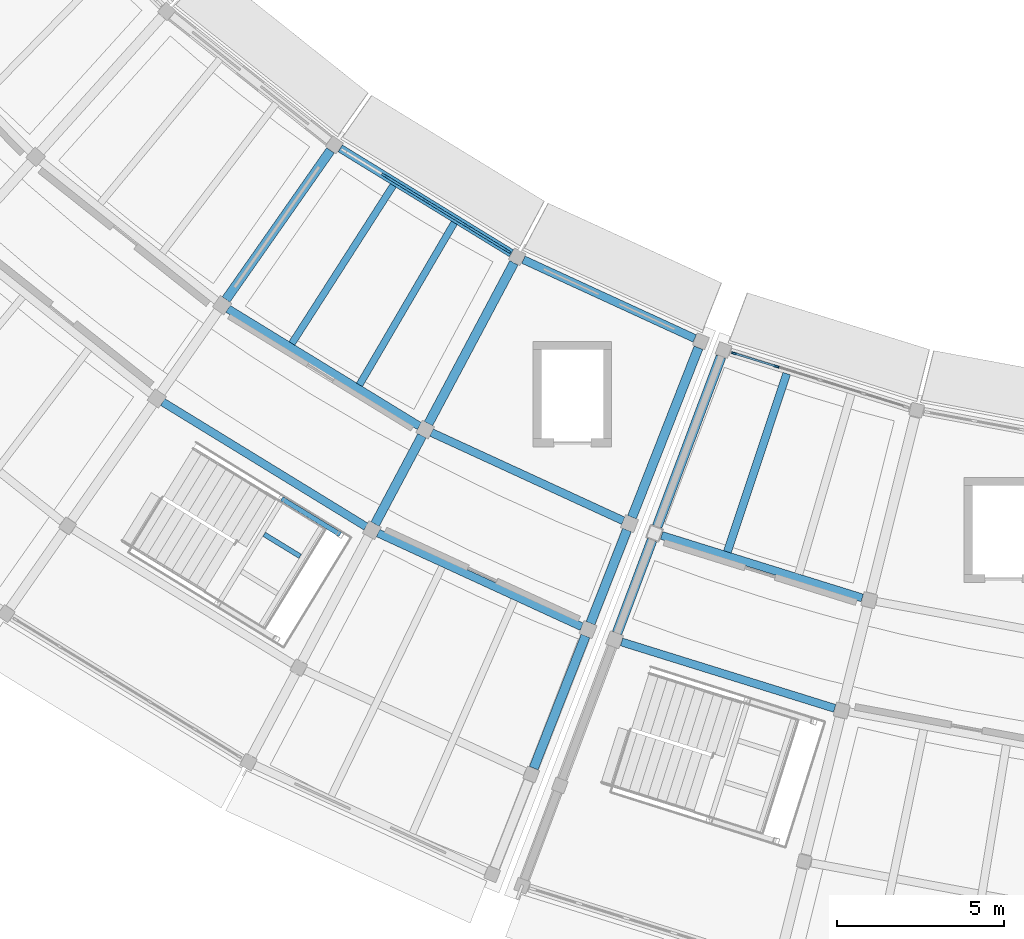
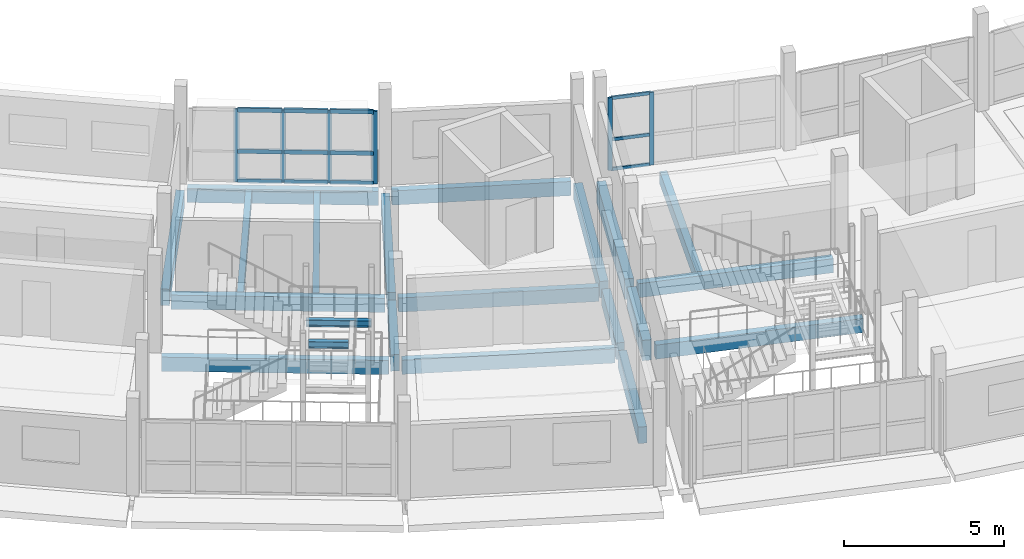
# One storey, part 21 of 77: 21 beams, 18 members, 2 elements without a shape of their own.
"""IFC4 building model written with IfcOpenShell, lengths in metres."""

import ifcopenshell
import ifcopenshell.guid

model = None  # the IFC model being written
_history = None  # IfcOwnerHistory: only IFC2X3 demands one
_inside = {}  # id of a spatial element -> (the spatial element, [elements in it])
_under = {}  # id of a project, library or spatial element -> (it, [spatial elements below it])
_declared = {}  # id of a project -> (the project, [libraries it declares])
_typed = {}  # id of a type object -> (the type object, [elements of that type])
_made_of = {}  # id of a material, layer set ... -> (it, [elements and type objects made of it])


def new_model(schema):
    """Start an empty IFC model of exactly this schema.

    Asked for "IFC4X3", IfcOpenShell would pick the latest addendum, in which some entities
    have other attributes; the version numbers below select the first issue.
    IFC2X3 requires an IfcOwnerHistory on every rooted entity: one is made here for all.
    """
    global model, _history
    if schema == "IFC4X3":
        model = ifcopenshell.file(schema_version=(4, 3, 0, 0))
    else:
        model = ifcopenshell.file(schema=schema)
    _inside.clear()
    _under.clear()
    _declared.clear()
    _typed.clear()
    _made_of.clear()
    _history = None
    if model.schema == "IFC2X3":
        org = make("IfcOrganization", Name="unknown")
        user = make(
            "IfcPersonAndOrganization",
            ThePerson=make("IfcPerson", FamilyName="unknown"),
            TheOrganization=org,
        )
        app = make(
            "IfcApplication",
            ApplicationDeveloper=org,
            Version="unknown",
            ApplicationFullName="unknown",
            ApplicationIdentifier="unknown",
        )
        _history = make(
            "IfcOwnerHistory",
            OwningUser=user,
            OwningApplication=app,
            ChangeAction="ADDED",
            CreationDate=0,
        )
    return model


def make(cls, **values):
    """One entity of the class cls with the attributes given. An attribute that is None is left unset."""
    return model.create_entity(
        cls, **{name: value for name, value in values.items() if value is not None}
    )


def rooted(cls, **values):
    """An entity with a GlobalId (a new one), such as an element, a storey or a relation."""
    return make(cls, GlobalId=ifcopenshell.guid.new(), OwnerHistory=_history, **values)


def si_unit(unit_type, name, prefix=None):
    """IfcSIUnit, for example si_unit("LENGTHUNIT", "METRE", prefix="MILLI")."""
    return make("IfcSIUnit", UnitType=unit_type, Prefix=prefix, Name=name)


def assignment(units):
    """IfcUnitAssignment: the units of a project."""
    return None if units is None else make("IfcUnitAssignment", Units=units)


def point(xyz):
    """IfcCartesianPoint."""
    return None if xyz is None else make("IfcCartesianPoint", Coordinates=xyz)


def direction(xyz):
    """IfcDirection."""
    return None if xyz is None else make("IfcDirection", DirectionRatios=xyz)


def frame(location, z_axis=None, x_axis=None):
    """IfcAxis2Placement3D, a coordinate frame: its origin and axes. An axis left out is left unset."""
    return make(
        "IfcAxis2Placement3D",
        Location=point(location),
        Axis=direction(z_axis),
        RefDirection=direction(x_axis),
    )


def frame_2d(location, x_axis=None):
    """IfcAxis2Placement2D, a coordinate frame in the plane: its origin and x axis."""
    return make(
        "IfcAxis2Placement2D", Location=point(location), RefDirection=direction(x_axis)
    )


def origin():
    """The frame at (0, 0, 0) with its axes left unset."""
    return frame((0.0, 0.0, 0.0))


def origin_2d():
    """The frame at (0, 0) in the plane with its x axis left unset."""
    return frame_2d((0.0, 0.0))


def place(relative_to, where):
    """IfcLocalPlacement: puts the frame where relative to a parent placement (None: the world)."""
    return make(
        "IfcLocalPlacement", PlacementRelTo=relative_to, RelativePlacement=where
    )


def context(
    kind, dimensions, precision=None, world=None, true_north=None, identifier=None
):
    """IfcGeometricRepresentationContext, for example the 3D "Model" context."""
    return make(
        "IfcGeometricRepresentationContext",
        ContextIdentifier=identifier,
        ContextType=kind,
        CoordinateSpaceDimension=dimensions,
        Precision=precision,
        WorldCoordinateSystem=world,
        TrueNorth=true_north,
    )


def subcontext(parent, identifier, kind, view, scale=None):
    """IfcGeometricRepresentationSubContext, for example "Body" below "Model"."""
    return make(
        "IfcGeometricRepresentationSubContext",
        ContextIdentifier=identifier,
        ContextType=kind,
        ParentContext=parent,
        TargetScale=scale,
        TargetView=view,
    )


def project(units=None, contexts=None):
    """IfcProject with its units and contexts."""
    return rooted(
        "IfcProject",
        Name="project",
        RepresentationContexts=contexts,
        UnitsInContext=assignment(units),
    )


def spatial(cls, under=None, at=None, **own):
    """A site, building, storey or space (cls), placed at a placement, below another one or the project."""
    s = rooted(cls, ObjectPlacement=at, **own)
    if under is not None:
        _under.setdefault(under.id(), (under, []))[1].append(s)
    return s


def profile(cls, at=None, kind="AREA", **sizes):
    """A parametric profile (cls). Its sizes go by their IFC names, for example OverallWidth=200.0."""
    return make(cls, ProfileType=kind, Position=at, **sizes)


def rectangle(**sizes):
    """IfcRectangleProfileDef."""
    return profile("IfcRectangleProfileDef", **sizes)


def i_section(**sizes):
    """IfcIShapeProfileDef."""
    return profile("IfcIShapeProfileDef", **sizes)


def extrude(swept, where, along, depth):
    """IfcExtrudedAreaSolid: the profile swept, set in the frame where, extruded along a direction by depth."""
    return make(
        "IfcExtrudedAreaSolid",
        SweptArea=swept,
        Position=where,
        ExtrudedDirection=direction(along),
        Depth=depth,
    )


def shape(context_of_items, identifier, shape_type, items):
    """IfcShapeRepresentation: the items that make up one representation, for example the "Body"."""
    return make(
        "IfcShapeRepresentation",
        ContextOfItems=context_of_items,
        RepresentationIdentifier=identifier,
        RepresentationType=shape_type,
        Items=items,
    )


def material(Name=None, Category=None):
    """IfcMaterial."""
    return make("IfcMaterial", Name=Name, Category=Category)


def layer(
    of_material, thickness, ventilated=None, Name=None, Category=None, Priority=None
):
    """IfcMaterialLayer: one layer of a wall or slab, of a material (None: an air gap)."""
    return make(
        "IfcMaterialLayer",
        Material=of_material,
        LayerThickness=thickness,
        IsVentilated=ventilated,
        Name=Name,
        Category=Category,
        Priority=Priority,
    )


def layer_set(layers, Name=None):
    """IfcMaterialLayerSet."""
    return make("IfcMaterialLayerSet", MaterialLayers=layers, LayerSetName=Name)


def material_profile(
    of_material, cross_section, Name=None, Category=None, Priority=None
):
    """IfcMaterialProfile: a cross section and its material."""
    return make(
        "IfcMaterialProfile",
        Name=Name,
        Material=of_material,
        Profile=cross_section,
        Priority=Priority,
        Category=Category,
    )


def profile_set(profiles, Name=None, composite=None):
    """IfcMaterialProfileSet."""
    return make(
        "IfcMaterialProfileSet",
        Name=Name,
        MaterialProfiles=profiles,
        CompositeProfile=composite,
    )


def made_of(thing, what):
    """Note that an element or type object is made of a material, layer set ...; save() writes the relation."""
    if what is not None:
        _made_of.setdefault(what.id(), (what, []))[1].append(thing)
    return thing


def type_object(cls, material=None, **own):
    """A type object (cls), such as IfcWallType, which elements share."""
    return made_of(rooted(cls, **own), material)


def element(
    cls,
    number,
    at=None,
    inside=None,
    cuts=None,
    type_object=None,
    material=None,
    context=None,
    identifier="Body",
    shape_type=None,
    held_by="IfcProductDefinitionShape",
    body=None,
    shapes=None,
    **own,
):
    """One element of the class cls, such as IfcWall. Its Tag is "e" and its number.

    at: its placement. inside: the storey or other place that contains it. cuts: it is an
    opening in that element (IfcRelVoidsElement). A single representation is given by context,
    identifier, shape_type and body (its items); several are given by shapes. held_by: the class
    of the entity that holds the representations. save() writes the other relations.
    """
    e = rooted(cls, Tag="e%d" % number, ObjectPlacement=at, **own)
    if body is not None:
        shapes = [shape(context, identifier, shape_type, body)]
    if shapes is not None:
        e.Representation = make(held_by, Representations=shapes)
    if inside is not None:
        _inside.setdefault(inside.id(), (inside, []))[1].append(e)
    if cuts is not None:
        rooted(
            "IfcRelVoidsElement", RelatingBuildingElement=cuts, RelatedOpeningElement=e
        )
    if type_object is not None:
        _typed.setdefault(type_object.id(), (type_object, []))[1].append(e)
    return made_of(e, material)


def aggregate(whole, parts):
    """IfcRelAggregates: a whole, such as a stair, and the parts it consists of."""
    return rooted("IfcRelAggregates", RelatingObject=whole, RelatedObjects=parts)


def save(model, path):
    """Write the relations noted so far, then the file.

    IfcRelAggregates (storeys below a building ...), IfcRelContainedInSpatialStructure (elements
    in a storey), IfcRelDefinesByType, IfcRelAssociatesMaterial and IfcRelDeclares: one each for
    every whole, place, type object, material and project.
    """
    for whole, parts in _under.values():
        aggregate(whole, parts)
    for where, things in _inside.values():
        rooted(
            "IfcRelContainedInSpatialStructure",
            RelatedElements=things,
            RelatingStructure=where,
        )
    for kind, things in _typed.values():
        rooted("IfcRelDefinesByType", RelatedObjects=things, RelatingType=kind)
    for what, things in _made_of.values():
        rooted("IfcRelAssociatesMaterial", RelatedObjects=things, RelatingMaterial=what)
    for by, libraries in _declared.values():
        rooted("IfcRelDeclares", RelatingContext=by, RelatedDefinitions=libraries)
    model.write(path)


model = new_model("IFC4")

# Units and contexts
model_context = context("Model", 3, precision=1e-05, world=origin(), true_north=direction((0.0, 1.0)))
body_context = subcontext(model_context, "Body", "Model", "MODEL_VIEW")
ifc_project = project(units=[si_unit("LENGTHUNIT", "METRE"), si_unit("AREAUNIT", "SQUARE_METRE"), si_unit("VOLUMEUNIT", "CUBIC_METRE"), si_unit("PLANEANGLEUNIT", "RADIAN"), si_unit("MASSUNIT", "GRAM", prefix="KILO")], contexts=[model_context])

# Site, building, storey
site_placement = place(None, origin())
site = spatial("IfcSite", under=ifc_project, at=site_placement, CompositionType="ELEMENT")
building_placement = place(site_placement, origin())
building = spatial("IfcBuilding", under=site, at=building_placement, Name="Caldaven Crescent School", CompositionType="ELEMENT")
storey_placement = place(building_placement, frame((0.0, 0.0, 4.419921875)))
storey = spatial("IfcBuildingStorey", under=building, at=storey_placement, Name="L01", CompositionType="ELEMENT", Elevation=4.419921875)

# Beams
ifc_material_1 = material(Name="Glulam MLE24h (GL28h)", Category="wood")
ifc_material_profile_1 = material_profile(ifc_material_1, rectangle(XDim=0.239990234375, YDim=0.5400390625, at=origin_2d()), Name="MLE 240x540")
ifc_profile_set_1 = profile_set([ifc_material_profile_1], Name="Glulam MLE24h (GL28h)")
beam_type_1 = type_object("IfcBeamType", Name="BM-GL54", PredefinedType="BEAM", material=ifc_profile_set_1)
beam_1_placement = place(storey_placement, frame((54.7353515625, 48.13623046875, -0.489990234375), z_axis=(0.85265146304, -0.52248012649, 0.0), x_axis=(0.52248012649, 0.85265146304, 0.0)))
element("IfcBeam", 1, at=beam_1_placement, inside=storey, type_object=beam_type_1, Name="BMT-V4W-L01-0983", PredefinedType="BEAM", context=body_context, shape_type="SweptSolid", body=[
    extrude(rectangle(XDim=0.239990234375, YDim=0.5400390625, at=origin_2d()), origin(), (0.0, 0.0, 1.0), 6.708251953125),
])
beam_2_placement = place(storey_placement, frame((52.78515625, 45.351318359375, -0.489990234375), z_axis=(0.852628835063, -0.522517051989, 0.0), x_axis=(0.522517051989, 0.852628835063, 0.0)))
element("IfcBeam", 2, at=beam_2_placement, inside=storey, type_object=beam_type_1, Name="BMT-V4W-L01-0984", PredefinedType="BEAM", context=body_context, shape_type="SweptSolid", body=[
    extrude(rectangle(XDim=0.239990234375, YDim=0.5400390625, at=origin_2d()), origin(), (0.0, 0.0, 1.0), 7.12353515625),
])
beam_3_placement = place(storey_placement, frame((60.816162109375, 44.4384765625, -0.489990234375), z_axis=(0.908521604568, -0.417837880083, 0.0), x_axis=(0.417837880083, 0.908521604568, 0.0)))
element("IfcBeam", 3, at=beam_3_placement, inside=storey, type_object=beam_type_1, Name="BMT-V4W-L01-0990", PredefinedType="BEAM", context=body_context, shape_type="SweptSolid", body=[
    extrude(rectangle(XDim=0.239990234375, YDim=0.5400390625, at=origin_2d()), origin(), (0.0, 0.0, 1.0), 6.307373046875),
])
beam_4_placement = place(storey_placement, frame((59.219970703125, 41.4365234375, -0.489990234375), z_axis=(0.908529189987, -0.41782138641, 0.0), x_axis=(0.41782138641, 0.908529189987, 0.0)))
element("IfcBeam", 4, at=beam_4_placement, inside=storey, type_object=beam_type_1, Name="BMT-V4W-L01-0991", PredefinedType="BEAM", context=body_context, shape_type="SweptSolid", body=[
    extrude(rectangle(XDim=0.239990234375, YDim=0.5400390625, at=origin_2d()), origin(), (0.0, 0.0, 1.0), 6.69921875),
])
beam_5_placement = place(storey_placement, frame((67.6923828125, 41.3642578125, -0.489990234375), z_axis=(0.954740502416, -0.297440032689, 0.0), x_axis=(0.297440032689, 0.954740502416, 0.0)))
element("IfcBeam", 5, at=beam_5_placement, inside=storey, type_object=beam_type_1, Name="BMT-V5-L01-1025", PredefinedType="BEAM", context=body_context, shape_type="SweptSolid", body=[
    extrude(rectangle(XDim=0.239990234375, YDim=0.5400390625, at=origin_2d()), origin(), (0.0, 0.0, 1.0), 6.277587890625),
])
beam_6_placement = place(storey_placement, frame((66.495849609375, 38.181884765625, -0.489990234375), z_axis=(0.954743408583, -0.297430704142, 0.0), x_axis=(0.297430704142, 0.954743408583, 0.0)))
element("IfcBeam", 6, at=beam_6_placement, inside=storey, type_object=beam_type_1, Name="BMT-V5-L01-1026", PredefinedType="BEAM", context=body_context, shape_type="SweptSolid", body=[
    extrude(rectangle(XDim=0.239990234375, YDim=0.5400390625, at=origin_2d()), origin(), (0.0, 0.0, 1.0), 6.669189453125),
])
ifc_material_profile_2 = material_profile(ifc_material_1, rectangle(XDim=0.280029296875, YDim=0.6298828125, at=origin_2d()), Name="MLE 280x630")
ifc_profile_set_2 = profile_set([ifc_material_profile_2], Name="Glulam MLE24h (GL28h)")
beam_type_2 = type_object("IfcBeamType", Name="BM-GL63", PredefinedType="BEAM", material=ifc_profile_set_2)
for number, where, z_axis, x_axis, name in (
    (7, (57.79833984375, 52.867431640625, -0.534912109375), (-0.573600889357, -0.819134921566, 0.0), (0.819134921566, -0.573600889357, 0.0), "BMR-V4W-L01-0943"),
    (8, (63.280029296875, 49.50830078125, -0.534912109375), (-0.469476763346, -0.882944827652, 0.0), (0.882944827652, -0.469476763346, 0.0), "BMR-V4W-L01-0947"),
):
    element("IfcBeam", number, at=place(storey_placement, frame(where, z_axis=z_axis, x_axis=x_axis)), inside=storey, type_object=beam_type_2, Name=name, PredefinedType="BEAM", context=body_context, shape_type="SweptSolid", body=[
        extrude(rectangle(XDim=0.280029296875, YDim=0.6298828125, at=origin_2d()), origin(), (0.0, 0.0, 1.0), 5.43994140625),
    ])
beam_7_placement = place(storey_placement, frame((60.533447265625, 44.34326171875, -0.534912109375), z_axis=(-0.46941390334, -0.882978248515, 0.0), x_axis=(0.882978248515, -0.46941390334, 0.0)))
element("IfcBeam", 9, at=beam_7_placement, inside=storey, type_object=beam_type_2, Name="BMR-V4W-L01-0948", PredefinedType="BEAM", context=body_context, shape_type="SweptSolid", body=[
    extrude(rectangle(XDim=0.280029296875, YDim=0.6298828125, at=origin_2d()), origin(), (0.0, 0.0, 1.0), 2.989990234375),
])
beam_8_placement = place(storey_placement, frame((68.792236328125, 46.973388671875, -0.534912109375), z_axis=(-0.364812189152, -0.931081127854, 0.0), x_axis=(0.931081127854, -0.364812189152, 0.0)))
element("IfcBeam", 10, at=beam_8_placement, inside=storey, type_object=beam_type_2, Name="BMR-V4W-L01-0951", PredefinedType="BEAM", context=body_context, shape_type="SweptSolid", body=[
    extrude(rectangle(XDim=0.280029296875, YDim=0.6298828125, at=origin_2d()), origin(), (0.0, 0.0, 1.0), 5.440185546875),
])
beam_9_placement = place(storey_placement, frame((66.658203125, 41.526611328125, -0.534912109375), z_axis=(-0.364821090582, -0.931077640085, 0.0), x_axis=(0.931077640085, -0.364821090582, 0.0)))
element("IfcBeam", 11, at=beam_9_placement, inside=storey, type_object=beam_type_2, Name="BMR-V4W-L01-0952", PredefinedType="BEAM", context=body_context, shape_type="SweptSolid", body=[
    extrude(rectangle(XDim=0.280029296875, YDim=0.6298828125, at=origin_2d()), origin(), (0.0, 0.0, 1.0), 2.989990234375),
])
beam_10_placement = place(storey_placement, frame((65.417724609375, 38.36083984375, -0.534912109375), z_axis=(-0.364779262234, -0.931094028465, 0.0), x_axis=(0.931094028465, -0.364779262234, 0.0)))
element("IfcBeam", 12, at=beam_10_placement, inside=storey, type_object=beam_type_2, Name="BMR-V4W-L01-0953", PredefinedType="BEAM", context=body_context, shape_type="SweptSolid", body=[
    extrude(rectangle(XDim=0.280029296875, YDim=0.6298828125, at=origin_2d()), origin(), (0.0, 0.0, 1.0), 4.239990234375),
])
ifc_material_profile_3 = material_profile(ifc_material_1, rectangle(XDim=0.300048828125, YDim=0.780029296875, at=origin_2d()), Name="MLE 300x780")
ifc_profile_set_3 = profile_set([ifc_material_profile_3], Name="Glulam MLE24h (GL28h)")
beam_type_3 = type_object("IfcBeamType", Name="BM-GL78", PredefinedType="BEAM", material=ifc_profile_set_3)
beam_11_placement = place(storey_placement, frame((69.4638671875, 46.699462890625, -0.60986328125), z_axis=(-0.351959110852, -0.936015376096, 0.0), x_axis=(0.936015376096, -0.351959110852, 0.0)))
element("IfcBeam", 13, at=beam_11_placement, inside=storey, type_object=beam_type_3, Name="BMR-V5-L01-0996", PredefinedType="BEAM", context=body_context, shape_type="SweptSolid", body=[
    extrude(rectangle(XDim=0.300048828125, YDim=0.780029296875, at=origin_2d()), origin(), (0.0, 0.0, 1.0), 5.409912109375),
])
beam_12_placement = place(storey_placement, frame((67.405029296875, 41.223876953125, -0.60986328125), z_axis=(-0.351927741513, -0.936027170948, 0.0), x_axis=(0.936027170948, -0.351927741513, 0.0)))
element("IfcBeam", 14, at=beam_12_placement, inside=storey, type_object=beam_type_3, Name="BMR-V5-L01-0997", PredefinedType="BEAM", context=body_context, shape_type="SweptSolid", body=[
    extrude(rectangle(XDim=0.300048828125, YDim=0.780029296875, at=origin_2d()), origin(), (0.0, 0.0, 1.0), 2.960205078125),
])
ifc_material_2 = material(Name="Steel ASTM A572 Grade 50", Category="steel")
ifc_material_profile_4 = material_profile(ifc_material_2, i_section(OverallWidth=0.14599609375, OverallDepth=0.258056640625, WebThickness=0.006103515625, FlangeThickness=0.009033203125, FilletRadius=0.011962890625, at=origin_2d()), Name="W250x33")
ifc_profile_set_4 = profile_set([ifc_material_profile_4], Name="Steel ASTM A572 Grade 50")
beam_type_4 = type_object("IfcBeamType", Name="BM-W25", PredefinedType="BEAM", material=ifc_profile_set_4)
beam_13_placement = place(storey_placement, frame((56.34130859375, 42.462158203125, 1.546142578125), z_axis=(0.85267484111, -0.522441973177, 0.0), x_axis=(0.522441973177, 0.85267484111, 0.0)))
element("IfcBeam", 15, at=beam_13_placement, inside=storey, type_object=beam_type_4, Name="BM-STSIDE-ST1-L01-SR", PredefinedType="BEAM", context=body_context, shape_type="SweptSolid", body=[
    extrude(i_section(OverallWidth=0.14599609375, OverallDepth=0.258056640625, WebThickness=0.006103515625, FlangeThickness=0.009033203125, FilletRadius=0.011962890625, at=origin_2d()), origin(), (0.0, 0.0, 1.0), 2.050048828125),
])

# Curtain wall, members
ifc_material_3 = material(Name="Anodised aluminium AA 6063-T6 and low-E double glazing", Category="aluminium")
ifc_layer_1 = layer(ifc_material_3, 0.2099609375)
ifc_layer_set_1 = layer_set([ifc_layer_1], Name="Anodised aluminium AA 6063-T6 and low-E double glazing")
curtain_wall_type_1 = type_object("IfcCurtainWallType", Name="CW-SYS3", PredefinedType="NOTDEFINED", material=ifc_layer_set_1)
curtain_wall_1_placement = place(storey_placement, origin())
curtain_wall_1 = element("IfcCurtainWall", 16, at=curtain_wall_1_placement, inside=storey, type_object=curtain_wall_type_1, Name="CW-L01-121", PredefinedType="NOTDEFINED")
ifc_material_4 = material(Name="Anodised aluminium AA 6063-T6", Category="aluminium")
ifc_material_profile_5 = material_profile(ifc_material_4, rectangle(XDim=0.06005859375, YDim=0.14990234375, at=origin_2d()), Name="CWM 60x150")
ifc_profile_set_5 = profile_set([ifc_material_profile_5], Name="Anodised aluminium AA 6063-T6")
member_type_1 = type_object("IfcMemberType", Name="CWM-T1", PredefinedType="MULLION", material=ifc_profile_set_5)
member_1_placement = place(storey_placement, frame((69.856201171875, 46.807373046875, 0.0), z_axis=(0.0, 0.0, 1.0), x_axis=(0.297419758694, 0.954746818344, 0.0)))
member_1 = element("IfcMember", 17, at=member_1_placement, type_object=member_type_1, Name="CW3 mullion 1", PredefinedType="MULLION", context=body_context, shape_type="SweptSolid", body=[
    extrude(rectangle(XDim=0.06005859375, YDim=0.14990234375, at=origin_2d()), origin(), (0.0, 0.0, 1.0), 2.780029296875),
])
member_2_placement = place(storey_placement, frame((71.126953125, 46.411376953125, 0.0), z_axis=(0.0, 0.0, 1.0), x_axis=(0.297419758694, 0.954746818344, 0.0)))
member_2 = element("IfcMember", 18, at=member_2_placement, type_object=member_type_1, Name="CW3 mullion 2", PredefinedType="MULLION", context=body_context, shape_type="SweptSolid", body=[
    extrude(rectangle(XDim=0.06005859375, YDim=0.14990234375, at=origin_2d()), origin(), (0.0, 0.0, 1.0), 2.780029296875),
])

ifc_layer_2 = layer(ifc_material_3, 0.169921875)
ifc_layer_set_2 = layer_set([ifc_layer_2], Name="Anodised aluminium AA 6063-T6 and low-E double glazing")
curtain_wall_type_2 = type_object("IfcCurtainWallType", Name="CW-SYS1", PredefinedType="NOTDEFINED", material=ifc_layer_set_2)
curtain_wall_2_placement = place(storey_placement, origin())
curtain_wall_2 = element("IfcCurtainWall", 19, at=curtain_wall_2_placement, inside=storey, type_object=curtain_wall_type_2, Name="CW-L01-119", PredefinedType="NOTDEFINED")
ifc_material_profile_6 = material_profile(ifc_material_4, rectangle(XDim=0.06494140625, YDim=0.179931640625, at=origin_2d()), Name="CWM 65x180")
ifc_profile_set_6 = profile_set([ifc_material_profile_6], Name="Anodised aluminium AA 6063-T6")
member_type_2 = type_object("IfcMemberType", Name="CWM-T2", PredefinedType="MULLION", material=ifc_profile_set_6)
member_3_placement = place(storey_placement, frame((59.408935546875, 52.12060546875, 0.0), z_axis=(0.0, 0.0, 1.0), x_axis=(0.522499392879, 0.852639656854, 0.0)))
member_3 = element("IfcMember", 20, at=member_3_placement, type_object=member_type_2, Name="CW1 mullion 2", PredefinedType="MULLION", context=body_context, shape_type="SweptSolid", body=[
    extrude(rectangle(XDim=0.06494140625, YDim=0.179931640625, at=origin_2d()), origin(), (0.0, 0.0, 1.0), 2.780029296875),
])
member_4_placement = place(storey_placement, frame((60.64599609375, 51.362548828125, 0.0), z_axis=(0.0, 0.0, 1.0), x_axis=(0.522499392879, 0.852639656854, 0.0)))
member_4 = element("IfcMember", 21, at=member_4_placement, type_object=member_type_2, Name="CW1 mullion 3", PredefinedType="MULLION", context=body_context, shape_type="SweptSolid", body=[
    extrude(rectangle(XDim=0.06494140625, YDim=0.179931640625, at=origin_2d()), origin(), (0.0, 0.0, 1.0), 2.780029296875),
])
member_5_placement = place(storey_placement, frame((61.88330078125, 50.604248046875, 0.0), z_axis=(0.0, 0.0, 1.0), x_axis=(0.522499392879, 0.852639656854, 0.0)))
member_5 = element("IfcMember", 22, at=member_5_placement, type_object=member_type_2, Name="CW1 mullion 4", PredefinedType="MULLION", context=body_context, shape_type="SweptSolid", body=[
    extrude(rectangle(XDim=0.06494140625, YDim=0.179931640625, at=origin_2d()), origin(), (0.0, 0.0, 1.0), 2.780029296875),
])
member_6_placement = place(storey_placement, frame((63.0927734375, 49.863037109375, 0.0), z_axis=(0.0, 0.0, 1.0), x_axis=(0.522499392879, 0.852639656854, 0.0)))
member_6 = element("IfcMember", 23, at=member_6_placement, type_object=member_type_2, Name="CW1 mullion 5", PredefinedType="MULLION", context=body_context, shape_type="SweptSolid", body=[
    extrude(rectangle(XDim=0.06494140625, YDim=0.179931640625, at=origin_2d()), origin(), (0.0, 0.0, 1.0), 2.780029296875),
])

# Member
ifc_material_profile_7 = material_profile(ifc_material_4, rectangle(XDim=0.06005859375, YDim=0.1201171875, at=origin_2d()), Name="CWT 60x120")
ifc_profile_set_7 = profile_set([ifc_material_profile_7], Name="Anodised aluminium AA 6063-T6")
member_type_3 = type_object("IfcMemberType", Name="CWT-T1", PredefinedType="USERDEFINED", material=ifc_profile_set_7)
member_7_placement = place(storey_placement, frame((69.885009765625, 46.79833984375, 0.030029296875), z_axis=(0.954742858381, -0.29743247027, 0.0), x_axis=(0.29743247027, 0.954742858381, 0.0)))
member_7 = element("IfcMember", 24, at=member_7_placement, type_object=member_type_3, Name="CW3 transom 1.1", ObjectType="TRANSOM", PredefinedType="USERDEFINED", context=body_context, shape_type="SweptSolid", body=[
    extrude(rectangle(XDim=0.06005859375, YDim=0.1201171875, at=origin_2d()), origin(), (0.0, 0.0, 1.0), 1.270751953125),
])

member_8_placement = place(storey_placement, frame((69.885009765625, 46.79833984375, 1.16796875), z_axis=(0.954742858381, -0.29743247027, 0.0), x_axis=(0.29743247027, 0.954742858381, 0.0)))
member_8 = element("IfcMember", 25, at=member_8_placement, type_object=member_type_3, Name="CW3 transom 1.2", ObjectType="TRANSOM", PredefinedType="USERDEFINED", context=body_context, shape_type="SweptSolid", body=[
    extrude(rectangle(XDim=0.06005859375, YDim=0.1201171875, at=origin_2d()), origin(), (0.0, 0.0, 1.0), 1.270751953125),
])

member_9_placement = place(storey_placement, frame((69.885009765625, 46.79833984375, 2.75), z_axis=(0.954742858381, -0.29743247027, 0.0), x_axis=(0.29743247027, 0.954742858381, 0.0)))
member_9 = element("IfcMember", 26, at=member_9_placement, type_object=member_type_3, Name="CW3 transom 1.3", ObjectType="TRANSOM", PredefinedType="USERDEFINED", context=body_context, shape_type="SweptSolid", body=[
    extrude(rectangle(XDim=0.06005859375, YDim=0.1201171875, at=origin_2d()), origin(), (0.0, 0.0, 1.0), 1.270751953125),
])

aggregate(curtain_wall_1, [member_1, member_2, member_7, member_8, member_9])

ifc_material_profile_8 = material_profile(ifc_material_4, rectangle(XDim=0.070068359375, YDim=0.159912109375, at=origin_2d()), Name="CWT 70x160")
ifc_profile_set_8 = profile_set([ifc_material_profile_8], Name="Anodised aluminium AA 6063-T6")
member_type_4 = type_object("IfcMemberType", Name="CWT-T3", PredefinedType="USERDEFINED", material=ifc_profile_set_8)
member_10_placement = place(storey_placement, frame((59.4365234375, 52.103515625, 0.03515625), z_axis=(0.852684780563, -0.522425750702, 0.0), x_axis=(0.522425750702, 0.852684780563, 0.0)))
member_10 = element("IfcMember", 27, at=member_10_placement, type_object=member_type_4, Name="CW1 transom 2.1", ObjectType="TRANSOM", PredefinedType="USERDEFINED", context=body_context, shape_type="SweptSolid", body=[
    extrude(rectangle(XDim=0.070068359375, YDim=0.159912109375, at=origin_2d()), origin(), (0.0, 0.0, 1.0), 1.385986328125),
])

member_11_placement = place(storey_placement, frame((59.4365234375, 52.103515625, 1.16796875), z_axis=(0.852684780563, -0.522425750702, 0.0), x_axis=(0.522425750702, 0.852684780563, 0.0)))
member_11 = element("IfcMember", 28, at=member_11_placement, type_object=member_type_4, Name="CW1 transom 2.2", ObjectType="TRANSOM", PredefinedType="USERDEFINED", context=body_context, shape_type="SweptSolid", body=[
    extrude(rectangle(XDim=0.070068359375, YDim=0.159912109375, at=origin_2d()), origin(), (0.0, 0.0, 1.0), 1.385986328125),
])

member_12_placement = place(storey_placement, frame((59.4365234375, 52.103515625, 2.7451171875), z_axis=(0.852684780563, -0.522425750702, 0.0), x_axis=(0.522425750702, 0.852684780563, 0.0)))
member_12 = element("IfcMember", 29, at=member_12_placement, type_object=member_type_4, Name="CW1 transom 2.3", ObjectType="TRANSOM", PredefinedType="USERDEFINED", context=body_context, shape_type="SweptSolid", body=[
    extrude(rectangle(XDim=0.070068359375, YDim=0.159912109375, at=origin_2d()), origin(), (0.0, 0.0, 1.0), 1.385986328125),
])

member_13_placement = place(storey_placement, frame((60.673828125, 51.345458984375, 0.03515625), z_axis=(0.852636696581, -0.522504223566, 0.0), x_axis=(0.522504223566, 0.852636696581, 0.0)))
member_13 = element("IfcMember", 30, at=member_13_placement, type_object=member_type_4, Name="CW1 transom 3.1", ObjectType="TRANSOM", PredefinedType="USERDEFINED", context=body_context, shape_type="SweptSolid", body=[
    extrude(rectangle(XDim=0.070068359375, YDim=0.159912109375, at=origin_2d()), origin(), (0.0, 0.0, 1.0), 1.385986328125),
])

member_14_placement = place(storey_placement, frame((60.673828125, 51.345458984375, 1.16796875), z_axis=(0.852636696581, -0.522504223566, 0.0), x_axis=(0.522504223566, 0.852636696581, 0.0)))
member_14 = element("IfcMember", 31, at=member_14_placement, type_object=member_type_4, Name="CW1 transom 3.2", ObjectType="TRANSOM", PredefinedType="USERDEFINED", context=body_context, shape_type="SweptSolid", body=[
    extrude(rectangle(XDim=0.070068359375, YDim=0.159912109375, at=origin_2d()), origin(), (0.0, 0.0, 1.0), 1.385986328125),
])

member_15_placement = place(storey_placement, frame((60.673828125, 51.345458984375, 2.7451171875), z_axis=(0.852636696581, -0.522504223566, 0.0), x_axis=(0.522504223566, 0.852636696581, 0.0)))
member_15 = element("IfcMember", 32, at=member_15_placement, type_object=member_type_4, Name="CW1 transom 3.3", ObjectType="TRANSOM", PredefinedType="USERDEFINED", context=body_context, shape_type="SweptSolid", body=[
    extrude(rectangle(XDim=0.070068359375, YDim=0.159912109375, at=origin_2d()), origin(), (0.0, 0.0, 1.0), 1.385986328125),
])

member_16_placement = place(storey_placement, frame((61.910888671875, 50.58740234375, 0.03515625), z_axis=(0.852616806019, -0.522536680143, 0.0), x_axis=(0.522536680143, 0.852616806019, 0.0)))
member_16 = element("IfcMember", 33, at=member_16_placement, type_object=member_type_4, Name="CW1 transom 4.1", ObjectType="TRANSOM", PredefinedType="USERDEFINED", context=body_context, shape_type="SweptSolid", body=[
    extrude(rectangle(XDim=0.070068359375, YDim=0.159912109375, at=origin_2d()), origin(), (0.0, 0.0, 1.0), 1.353515625),
])

member_17_placement = place(storey_placement, frame((61.910888671875, 50.58740234375, 1.16796875), z_axis=(0.852616806019, -0.522536680143, 0.0), x_axis=(0.522536680143, 0.852616806019, 0.0)))
member_17 = element("IfcMember", 34, at=member_17_placement, type_object=member_type_4, Name="CW1 transom 4.2", ObjectType="TRANSOM", PredefinedType="USERDEFINED", context=body_context, shape_type="SweptSolid", body=[
    extrude(rectangle(XDim=0.070068359375, YDim=0.159912109375, at=origin_2d()), origin(), (0.0, 0.0, 1.0), 1.353515625),
])

member_18_placement = place(storey_placement, frame((61.910888671875, 50.58740234375, 2.7451171875), z_axis=(0.852616806019, -0.522536680143, 0.0), x_axis=(0.522536680143, 0.852616806019, 0.0)))
member_18 = element("IfcMember", 35, at=member_18_placement, type_object=member_type_4, Name="CW1 transom 4.3", ObjectType="TRANSOM", PredefinedType="USERDEFINED", context=body_context, shape_type="SweptSolid", body=[
    extrude(rectangle(XDim=0.070068359375, YDim=0.159912109375, at=origin_2d()), origin(), (0.0, 0.0, 1.0), 1.353515625),
])

aggregate(curtain_wall_2, [member_3, member_4, member_5, member_6, member_10, member_11, member_12, member_13, member_14, member_15, member_16, member_17, member_18])

# Beams
ifc_material_profile_9 = material_profile(ifc_material_1, rectangle(XDim=0.2099609375, YDim=0.419921875, at=origin_2d()), Name="MLE 210x420")
ifc_profile_set_9 = profile_set([ifc_material_profile_9], Name="Glulam MLE24h (GL28h)")
beam_type_5 = type_object("IfcBeamType", Name="JS-GL42", PredefinedType="JOIST", material=ifc_profile_set_9)
beam_14_placement = place(storey_placement, frame((59.673828125, 51.8232421875, -0.429931640625), z_axis=(-0.539758643815, -0.841819818267, 0.0), x_axis=(0.841819818267, -0.539758643815, 0.0)))
element("IfcBeam", 36, at=beam_14_placement, inside=storey, type_object=beam_type_5, Name="JSR-V4W-L01-0987", PredefinedType="JOIST", context=body_context, shape_type="SweptSolid", body=[
    extrude(rectangle(XDim=0.2099609375, YDim=0.419921875, at=origin_2d()), origin(), (0.0, 0.0, 1.0), 5.610107421875),
])
beam_15_placement = place(storey_placement, frame((61.498046875, 50.70556640625, -0.429931640625), z_axis=(-0.505012393824, -0.863112091263, 0.0), x_axis=(0.863112091263, -0.505012393824, 0.0)))
element("IfcBeam", 37, at=beam_15_placement, inside=storey, type_object=beam_type_5, Name="JSR-V4W-L01-0988", PredefinedType="JOIST", context=body_context, shape_type="SweptSolid", body=[
    extrude(rectangle(XDim=0.2099609375, YDim=0.419921875, at=origin_2d()), origin(), (0.0, 0.0, 1.0), 5.6103515625),
])
ifc_material_profile_10 = material_profile(ifc_material_1, rectangle(XDim=0.239990234375, YDim=0.47998046875, at=origin_2d()), Name="MLE 240x480")
ifc_profile_set_10 = profile_set([ifc_material_profile_10], Name="Glulam MLE24h (GL28h)")
beam_type_6 = type_object("IfcBeamType", Name="JS-GL48", PredefinedType="JOIST", material=ifc_profile_set_10)
beam_16_placement = place(storey_placement, frame((71.42822265625, 46.197265625, -0.4599609375), z_axis=(-0.315731740735, -0.948848495753, 0.0), x_axis=(0.948848495753, -0.315731740735, 0.0)))
element("IfcBeam", 38, at=beam_16_placement, inside=storey, type_object=beam_type_6, Name="JSR-V5-L01-1028", PredefinedType="JOIST", context=body_context, shape_type="SweptSolid", body=[
    extrude(rectangle(XDim=0.239990234375, YDim=0.47998046875, at=origin_2d()), origin(), (0.0, 0.0, 1.0), 5.611572265625),
])
ifc_material_profile_11 = material_profile(ifc_material_2, i_section(OverallWidth=0.14599609375, OverallDepth=0.258056640625, WebThickness=0.006103515625, FlangeThickness=0.009033203125, FilletRadius=0.011962890625, at=origin_2d()), Name="W250x33")
ifc_profile_set_11 = profile_set([ifc_material_profile_11], Name="Steel ASTM A572 Grade 50")
beam_type_7 = type_object("IfcBeamType", Name="LN-W25", PredefinedType="LINTEL", material=ifc_profile_set_11)
beam_17_placement = place(storey_placement, frame((55.818603515625, 41.398681640625, 1.546142578125), z_axis=(0.852634663632, -0.522507540972, 0.0), x_axis=(0.522507540972, 0.852634663632, 0.0)))
element("IfcBeam", 39, at=beam_17_placement, inside=storey, type_object=beam_type_7, Name="BM-STJST-ST1-L01-JR", PredefinedType="LINTEL", context=body_context, shape_type="SweptSolid", body=[
    extrude(i_section(OverallWidth=0.14599609375, OverallDepth=0.258056640625, WebThickness=0.006103515625, FlangeThickness=0.009033203125, FilletRadius=0.011962890625, at=origin_2d()), origin(), (0.0, 0.0, 1.0), 1.26025390625),
])
ifc_material_profile_12 = material_profile(ifc_material_1, rectangle(XDim=0.239990234375, YDim=0.5400390625, at=origin_2d()), Name="MLE 240x540")
ifc_profile_set_12 = profile_set([ifc_material_profile_12], Name="Glulam MLE24h (GL28h)")
beam_type_8 = type_object("IfcBeamType", Name="SP-GL54", PredefinedType="SPANDREL", material=ifc_profile_set_12)
beam_18_placement = place(storey_placement, frame((58.0908203125, 52.928466796875, -0.489990234375), z_axis=(0.852635789269, -0.522505704139, 0.0), x_axis=(0.522505704139, 0.852635789269, 0.0)))
element("IfcBeam", 40, at=beam_18_placement, inside=storey, type_object=beam_type_8, Name="BMT-V4W-L01-0982", PredefinedType="SPANDREL", context=body_context, shape_type="SweptSolid", body=[
    extrude(rectangle(XDim=0.239990234375, YDim=0.5400390625, at=origin_2d()), origin(), (0.0, 0.0, 1.0), 5.993896484375),
])
beam_19_placement = place(storey_placement, frame((63.5625, 49.603759765625, -0.489990234375), z_axis=(0.908530595551, -0.417818330076, 0.0), x_axis=(0.417818330076, 0.908530595551, 0.0)))
element("IfcBeam", 41, at=beam_19_placement, inside=storey, type_object=beam_type_8, Name="BMT-V4W-L01-0989", PredefinedType="SPANDREL", context=body_context, shape_type="SweptSolid", body=[
    extrude(rectangle(XDim=0.239990234375, YDim=0.5400390625, at=origin_2d()), origin(), (0.0, 0.0, 1.0), 5.633544921875),
])

save(model, "model.ifc")
